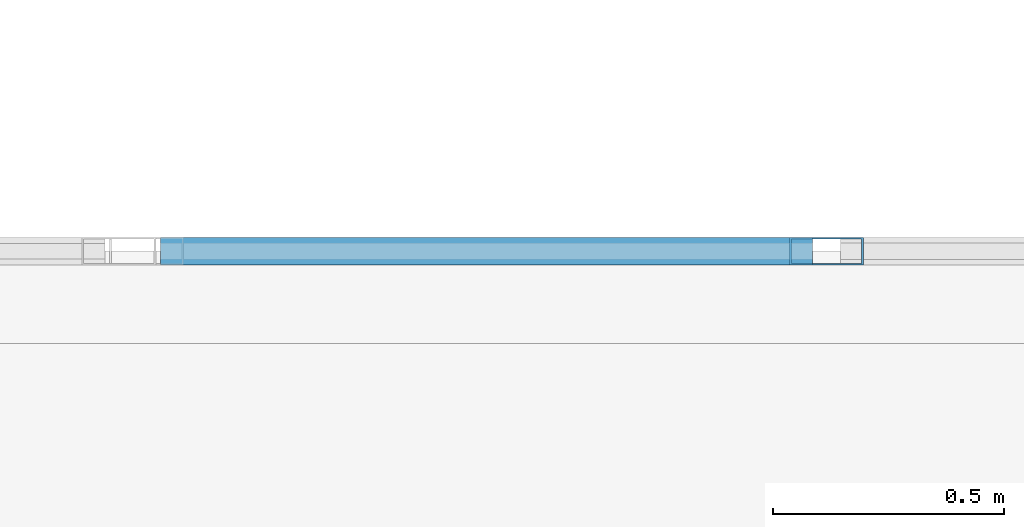
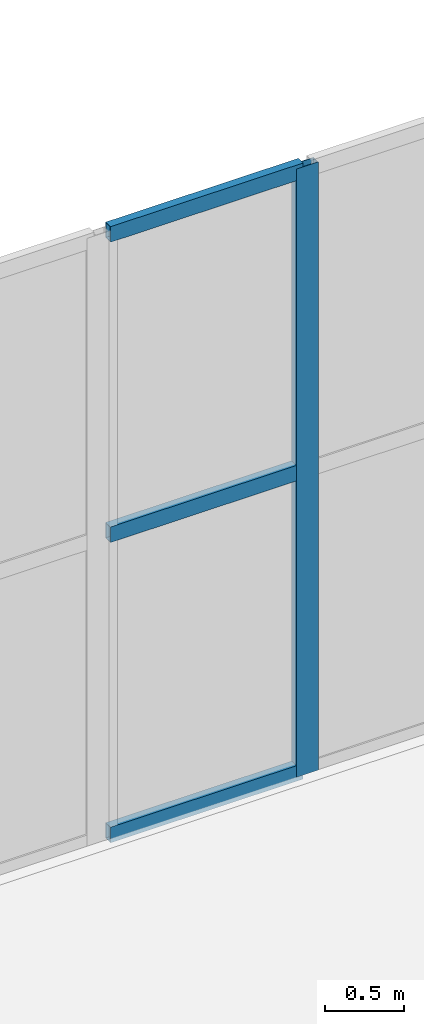
# One storey, part 11 of 223: 4 members, 1 element without a shape of its own.
"""IFC4 building model written with IfcOpenShell, lengths in metres."""

from ifc_helpers import new_model, si_unit, direction, frame, origin, origin_2d, place, context, subcontext, project, spatial, hollow_rectangle, extrude, material, layer, layer_set, material_profile, profile_set, type_object, element, aggregate, save


model = new_model("IFC4")

# Units and contexts
model_context = context("Model", 3, precision=1e-05, world=origin(), true_north=direction((0.0, 1.0)))
body_context = subcontext(model_context, "Body", "Model", "MODEL_VIEW")
ifc_project = project(units=[si_unit("LENGTHUNIT", "METRE"), si_unit("AREAUNIT", "SQUARE_METRE"), si_unit("VOLUMEUNIT", "CUBIC_METRE"), si_unit("PLANEANGLEUNIT", "RADIAN"), si_unit("MASSUNIT", "GRAM", prefix="KILO")], contexts=[model_context])

# Site, building, storey
site_placement = place(None, origin())
site = spatial("IfcSite", under=ifc_project, at=site_placement, CompositionType="ELEMENT")
building_placement = place(site_placement, origin())
building = spatial("IfcBuilding", under=site, at=building_placement, Name="Dornveld Trade and Exhibition Forum", CompositionType="ELEMENT")
storey_placement = place(building_placement, frame((0.0, 0.0, 6.0)))
storey = spatial("IfcBuildingStorey", under=building, at=storey_placement, Name="L01", CompositionType="ELEMENT", Elevation=6.0)

# Curtain wall, members
ifc_material_1 = material(Name="Dark-bronze anodised aluminium and low-E glass", Category="aluminium")
ifc_layer = layer(ifc_material_1, 0.172119140625)
ifc_layer_set = layer_set([ifc_layer], Name="Dark-bronze anodised aluminium and low-E glass")
curtain_wall_type = type_object("IfcCurtainWallType", Name="CW-SYS-10", PredefinedType="USERDEFINED", material=ifc_layer_set)
curtain_wall_placement = place(storey_placement, origin())
curtain_wall = element("IfcCurtainWall", 1, at=curtain_wall_placement, inside=storey, type_object=curtain_wall_type, Name="L01 unitised curtain wall 46", ObjectType="UNITISED_CURTAIN_WALL", PredefinedType="USERDEFINED")
ifc_material_2 = material(Name="Dark-bronze anodised aluminium", Category="aluminium")
ifc_material_profile_1 = material_profile(ifc_material_2, hollow_rectangle(XDim=0.06005859375, YDim=0.159912109375, WallThickness=0.00390625, at=origin_2d()), Name="RHS 160x60x4")
ifc_profile_set_1 = profile_set([ifc_material_profile_1], Name="Dark-bronze anodised aluminium")
member_type_1 = type_object("IfcMemberType", Name="CW-MUL-160", PredefinedType="MULLION", material=ifc_profile_set_1)
member_1_placement = place(storey_placement, frame((127.5, 18.0, -0.00390625), z_axis=(0.0, 0.0, 1.0), x_axis=(0.0, 1.0, 0.0)))
member_1 = element("IfcMember", 2, at=member_1_placement, type_object=member_type_1, Name="CW-10 mullion 2", PredefinedType="MULLION", context=body_context, shape_type="SweptSolid", body=[
    extrude(hollow_rectangle(XDim=0.06005859375, YDim=0.159912109375, WallThickness=0.00390625, at=origin_2d()), origin(), (0.0, 0.0, 1.0), 4.703857421875),
])
ifc_material_3 = material(Name="Dark-bronze anodised aluminium", Category="aluminium")
ifc_material_profile_2 = material_profile(ifc_material_3, hollow_rectangle(XDim=0.06005859375, YDim=0.1201171875, WallThickness=0.00390625, at=origin_2d()), Name="RHS 120x60x4")
ifc_profile_set_2 = profile_set([ifc_material_profile_2], Name="Dark-bronze anodised aluminium")
member_type_2 = type_object("IfcMemberType", Name="CW-TRN-120", PredefinedType="USERDEFINED", material=ifc_profile_set_2)
member_2_placement = place(storey_placement, frame((126.06005859375, 18.0, 0.02587890625), z_axis=(1.0, 0.0, 0.0), x_axis=(0.0, 1.0, 0.0)))
member_2 = element("IfcMember", 3, at=member_2_placement, type_object=member_type_2, Name="CW-10 transom 1.1", ObjectType="TRANSOM", PredefinedType="USERDEFINED", context=body_context, shape_type="SweptSolid", body=[
    extrude(hollow_rectangle(XDim=0.06005859375, YDim=0.1201171875, WallThickness=0.00390625, at=origin_2d()), origin(), (0.0, 0.0, 1.0), 1.409912109375),
])
member_3_placement = place(storey_placement, frame((126.06005859375, 18.0, 2.347900390625), z_axis=(1.0, 0.0, 0.0), x_axis=(0.0, 1.0, 0.0)))
member_3 = element("IfcMember", 4, at=member_3_placement, type_object=member_type_2, Name="CW-10 transom 1.2", ObjectType="TRANSOM", PredefinedType="USERDEFINED", context=body_context, shape_type="SweptSolid", body=[
    extrude(hollow_rectangle(XDim=0.06005859375, YDim=0.1201171875, WallThickness=0.00390625, at=origin_2d()), origin(), (0.0, 0.0, 1.0), 1.409912109375),
])
member_4_placement = place(storey_placement, frame((126.06005859375, 18.0, 4.669921875), z_axis=(1.0, 0.0, 0.0), x_axis=(0.0, 1.0, 0.0)))
member_4 = element("IfcMember", 5, at=member_4_placement, type_object=member_type_2, Name="CW-10 transom 1.3", ObjectType="TRANSOM", PredefinedType="USERDEFINED", context=body_context, shape_type="SweptSolid", body=[
    extrude(hollow_rectangle(XDim=0.06005859375, YDim=0.1201171875, WallThickness=0.00390625, at=origin_2d()), origin(), (0.0, 0.0, 1.0), 1.409912109375),
])
aggregate(curtain_wall, [member_1, member_2, member_3, member_4])

save(model, "model.ifc")
